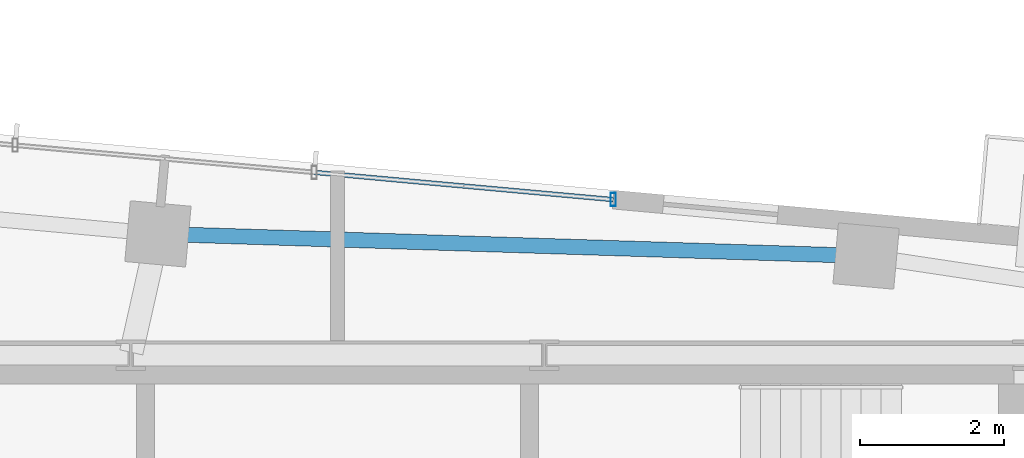
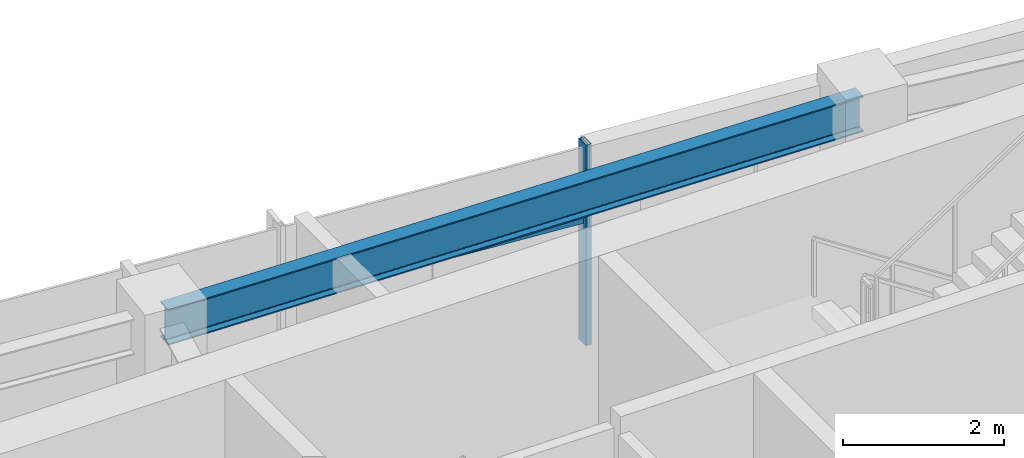
# One storey, part 11 of 22: 2 members, 1 beam, 1 element without a shape of its own.
"""IFC4 building model written with IfcOpenShell, lengths in metres."""

import ifcopenshell
import ifcopenshell.guid

model = None  # the IFC model being written
_history = None  # IfcOwnerHistory: only IFC2X3 demands one
_inside = {}  # id of a spatial element -> (the spatial element, [elements in it])
_under = {}  # id of a project, library or spatial element -> (it, [spatial elements below it])
_declared = {}  # id of a project -> (the project, [libraries it declares])
_typed = {}  # id of a type object -> (the type object, [elements of that type])
_made_of = {}  # id of a material, layer set ... -> (it, [elements and type objects made of it])


def new_model(schema):
    """Start an empty IFC model of exactly this schema.

    Asked for "IFC4X3", IfcOpenShell would pick the latest addendum, in which some entities
    have other attributes; the version numbers below select the first issue.
    IFC2X3 requires an IfcOwnerHistory on every rooted entity: one is made here for all.
    """
    global model, _history
    if schema == "IFC4X3":
        model = ifcopenshell.file(schema_version=(4, 3, 0, 0))
    else:
        model = ifcopenshell.file(schema=schema)
    _inside.clear()
    _under.clear()
    _declared.clear()
    _typed.clear()
    _made_of.clear()
    _history = None
    if model.schema == "IFC2X3":
        org = make("IfcOrganization", Name="unknown")
        user = make(
            "IfcPersonAndOrganization",
            ThePerson=make("IfcPerson", FamilyName="unknown"),
            TheOrganization=org,
        )
        app = make(
            "IfcApplication",
            ApplicationDeveloper=org,
            Version="unknown",
            ApplicationFullName="unknown",
            ApplicationIdentifier="unknown",
        )
        _history = make(
            "IfcOwnerHistory",
            OwningUser=user,
            OwningApplication=app,
            ChangeAction="ADDED",
            CreationDate=0,
        )
    return model


def make(cls, **values):
    """One entity of the class cls with the attributes given. An attribute that is None is left unset."""
    return model.create_entity(
        cls, **{name: value for name, value in values.items() if value is not None}
    )


def rooted(cls, **values):
    """An entity with a GlobalId (a new one), such as an element, a storey or a relation."""
    return make(cls, GlobalId=ifcopenshell.guid.new(), OwnerHistory=_history, **values)


def si_unit(unit_type, name, prefix=None):
    """IfcSIUnit, for example si_unit("LENGTHUNIT", "METRE", prefix="MILLI")."""
    return make("IfcSIUnit", UnitType=unit_type, Prefix=prefix, Name=name)


def assignment(units):
    """IfcUnitAssignment: the units of a project."""
    return None if units is None else make("IfcUnitAssignment", Units=units)


def point(xyz):
    """IfcCartesianPoint."""
    return None if xyz is None else make("IfcCartesianPoint", Coordinates=xyz)


def direction(xyz):
    """IfcDirection."""
    return None if xyz is None else make("IfcDirection", DirectionRatios=xyz)


def frame(location, z_axis=None, x_axis=None):
    """IfcAxis2Placement3D, a coordinate frame: its origin and axes. An axis left out is left unset."""
    return make(
        "IfcAxis2Placement3D",
        Location=point(location),
        Axis=direction(z_axis),
        RefDirection=direction(x_axis),
    )


def frame_2d(location, x_axis=None):
    """IfcAxis2Placement2D, a coordinate frame in the plane: its origin and x axis."""
    return make(
        "IfcAxis2Placement2D", Location=point(location), RefDirection=direction(x_axis)
    )


def origin():
    """The frame at (0, 0, 0) with its axes left unset."""
    return frame((0.0, 0.0, 0.0))


def origin_2d():
    """The frame at (0, 0) in the plane with its x axis left unset."""
    return frame_2d((0.0, 0.0))


def place(relative_to, where):
    """IfcLocalPlacement: puts the frame where relative to a parent placement (None: the world)."""
    return make(
        "IfcLocalPlacement", PlacementRelTo=relative_to, RelativePlacement=where
    )


def context(
    kind, dimensions, precision=None, world=None, true_north=None, identifier=None
):
    """IfcGeometricRepresentationContext, for example the 3D "Model" context."""
    return make(
        "IfcGeometricRepresentationContext",
        ContextIdentifier=identifier,
        ContextType=kind,
        CoordinateSpaceDimension=dimensions,
        Precision=precision,
        WorldCoordinateSystem=world,
        TrueNorth=true_north,
    )


def subcontext(parent, identifier, kind, view, scale=None):
    """IfcGeometricRepresentationSubContext, for example "Body" below "Model"."""
    return make(
        "IfcGeometricRepresentationSubContext",
        ContextIdentifier=identifier,
        ContextType=kind,
        ParentContext=parent,
        TargetScale=scale,
        TargetView=view,
    )


def project(units=None, contexts=None):
    """IfcProject with its units and contexts."""
    return rooted(
        "IfcProject",
        Name="project",
        RepresentationContexts=contexts,
        UnitsInContext=assignment(units),
    )


def spatial(cls, under=None, at=None, **own):
    """A site, building, storey or space (cls), placed at a placement, below another one or the project."""
    s = rooted(cls, ObjectPlacement=at, **own)
    if under is not None:
        _under.setdefault(under.id(), (under, []))[1].append(s)
    return s


def profile(cls, at=None, kind="AREA", **sizes):
    """A parametric profile (cls). Its sizes go by their IFC names, for example OverallWidth=200.0."""
    return make(cls, ProfileType=kind, Position=at, **sizes)


def hollow_rectangle(**sizes):
    """IfcRectangleHollowProfileDef."""
    return profile("IfcRectangleHollowProfileDef", **sizes)


def i_section(**sizes):
    """IfcIShapeProfileDef."""
    return profile("IfcIShapeProfileDef", **sizes)


def extrude(swept, where, along, depth):
    """IfcExtrudedAreaSolid: the profile swept, set in the frame where, extruded along a direction by depth."""
    return make(
        "IfcExtrudedAreaSolid",
        SweptArea=swept,
        Position=where,
        ExtrudedDirection=direction(along),
        Depth=depth,
    )


def shape(context_of_items, identifier, shape_type, items):
    """IfcShapeRepresentation: the items that make up one representation, for example the "Body"."""
    return make(
        "IfcShapeRepresentation",
        ContextOfItems=context_of_items,
        RepresentationIdentifier=identifier,
        RepresentationType=shape_type,
        Items=items,
    )


def source(mapping_origin, context_of_items, identifier, shape_type, items):
    """IfcRepresentationMap: a shape defined once, which mapped items show again and again."""
    return make(
        "IfcRepresentationMap",
        MappingOrigin=mapping_origin,
        MappedRepresentation=shape(context_of_items, identifier, shape_type, items),
    )


def transform(
    local_origin,
    x_axis=None,
    y_axis=None,
    z_axis=None,
    scale=None,
    scale2=None,
    scale3=None,
    uniform=True,
):
    """IfcCartesianTransformationOperator3D, or its non-uniform kind. x_axis, y_axis, z_axis: its Axis1, 2, 3."""
    if uniform:
        return make(
            "IfcCartesianTransformationOperator3D",
            Axis1=direction(x_axis),
            Axis2=direction(y_axis),
            LocalOrigin=point(local_origin),
            Scale=scale,
            Axis3=direction(z_axis),
        )
    return make(
        "IfcCartesianTransformationOperator3DnonUniform",
        Axis1=direction(x_axis),
        Axis2=direction(y_axis),
        LocalOrigin=point(local_origin),
        Scale=scale,
        Axis3=direction(z_axis),
        Scale2=scale2,
        Scale3=scale3,
    )


def mapped(mapping_source, mapping_target):
    """IfcMappedItem: shows the shape of a source again, moved by a transform."""
    return make(
        "IfcMappedItem", MappingSource=mapping_source, MappingTarget=mapping_target
    )


def material(Name=None, Category=None):
    """IfcMaterial."""
    return make("IfcMaterial", Name=Name, Category=Category)


def material_profile(
    of_material, cross_section, Name=None, Category=None, Priority=None
):
    """IfcMaterialProfile: a cross section and its material."""
    return make(
        "IfcMaterialProfile",
        Name=Name,
        Material=of_material,
        Profile=cross_section,
        Priority=Priority,
        Category=Category,
    )


def profile_set(profiles, Name=None, composite=None):
    """IfcMaterialProfileSet."""
    return make(
        "IfcMaterialProfileSet",
        Name=Name,
        MaterialProfiles=profiles,
        CompositeProfile=composite,
    )


def made_of(thing, what):
    """Note that an element or type object is made of a material, layer set ...; save() writes the relation."""
    if what is not None:
        _made_of.setdefault(what.id(), (what, []))[1].append(thing)
    return thing


def type_object(cls, material=None, **own):
    """A type object (cls), such as IfcWallType, which elements share."""
    return made_of(rooted(cls, **own), material)


def type_shapes(of_type, sources):
    """Give a type object the sources (RepresentationMaps) that its elements show as mapped items."""
    of_type.RepresentationMaps = sources


def element(
    cls,
    number,
    at=None,
    inside=None,
    cuts=None,
    type_object=None,
    material=None,
    context=None,
    identifier="Body",
    shape_type=None,
    held_by="IfcProductDefinitionShape",
    body=None,
    shapes=None,
    **own,
):
    """One element of the class cls, such as IfcWall. Its Tag is "e" and its number.

    at: its placement. inside: the storey or other place that contains it. cuts: it is an
    opening in that element (IfcRelVoidsElement). A single representation is given by context,
    identifier, shape_type and body (its items); several are given by shapes. held_by: the class
    of the entity that holds the representations. save() writes the other relations.
    """
    e = rooted(cls, Tag="e%d" % number, ObjectPlacement=at, **own)
    if body is not None:
        shapes = [shape(context, identifier, shape_type, body)]
    if shapes is not None:
        e.Representation = make(held_by, Representations=shapes)
    if inside is not None:
        _inside.setdefault(inside.id(), (inside, []))[1].append(e)
    if cuts is not None:
        rooted(
            "IfcRelVoidsElement", RelatingBuildingElement=cuts, RelatedOpeningElement=e
        )
    if type_object is not None:
        _typed.setdefault(type_object.id(), (type_object, []))[1].append(e)
    return made_of(e, material)


def aggregate(whole, parts):
    """IfcRelAggregates: a whole, such as a stair, and the parts it consists of."""
    return rooted("IfcRelAggregates", RelatingObject=whole, RelatedObjects=parts)


def save(model, path):
    """Write the relations noted so far, then the file.

    IfcRelAggregates (storeys below a building ...), IfcRelContainedInSpatialStructure (elements
    in a storey), IfcRelDefinesByType, IfcRelAssociatesMaterial and IfcRelDeclares: one each for
    every whole, place, type object, material and project.
    """
    for whole, parts in _under.values():
        aggregate(whole, parts)
    for where, things in _inside.values():
        rooted(
            "IfcRelContainedInSpatialStructure",
            RelatedElements=things,
            RelatingStructure=where,
        )
    for kind, things in _typed.values():
        rooted("IfcRelDefinesByType", RelatedObjects=things, RelatingType=kind)
    for what, things in _made_of.values():
        rooted("IfcRelAssociatesMaterial", RelatedObjects=things, RelatingMaterial=what)
    for by, libraries in _declared.values():
        rooted("IfcRelDeclares", RelatingContext=by, RelatedDefinitions=libraries)
    model.write(path)


model = new_model("IFC4")

# Units and contexts
model_context = context("Model", 3, precision=1e-05, world=origin(), true_north=direction((0.0, 1.0)))
body_context = subcontext(model_context, "Body", "Model", "MODEL_VIEW")
ifc_project = project(units=[si_unit("LENGTHUNIT", "METRE"), si_unit("AREAUNIT", "SQUARE_METRE"), si_unit("VOLUMEUNIT", "CUBIC_METRE"), si_unit("PLANEANGLEUNIT", "RADIAN"), si_unit("MASSUNIT", "GRAM", prefix="KILO")], contexts=[model_context])

# Site, building, storey
site_placement = place(None, origin())
site = spatial("IfcSite", under=ifc_project, at=site_placement, CompositionType="ELEMENT")
building_placement = place(site_placement, origin())
building = spatial("IfcBuilding", under=site, at=building_placement, Name="Astriad Promenade Condominiums", CompositionType="ELEMENT")
storey_placement = place(building_placement, frame((0.0, 0.0, 216.60009765625)))
storey = spatial("IfcBuildingStorey", under=building, at=storey_placement, Name="L62", CompositionType="ELEMENT", Elevation=216.60009765625)

# Beam
ifc_material_1 = material(Name="Steel ASTM A992 Grade 50", Category="steel")
ifc_material_profile_1 = material_profile(ifc_material_1, i_section(OverallWidth=0.210693359375, OverallDepth=0.53955078125, WebThickness=0.01171875, FlangeThickness=0.018798828125, FilletRadius=0.0166015625, at=origin_2d()), Name="W21X73")
ifc_profile_set_1 = profile_set([ifc_material_profile_1], Name="Steel ASTM A992 Grade 50")
beam_type = type_object("IfcBeamType", Name="STEEL SPANDREL BEAM W21X73", PredefinedType="SPANDREL", material=ifc_profile_set_1)
shared_shape_1 = source(origin(), body_context, "Body", "SweptSolid", [
    extrude(i_section(OverallWidth=0.210693359375, OverallDepth=0.53955078125, WebThickness=0.01171875, FlangeThickness=0.018798828125, FilletRadius=0.0166015625, at=origin_2d()), origin(), (0.0, 0.0, 1.0), 9.783935546875),
])
type_shapes(beam_type, [shared_shape_1])
beam_placement = place(storey_placement, frame((43.31884765625, 25.381103515625, 2.77001953125), z_axis=(-0.999511077438, 0.031266692798, 0.0), x_axis=(-0.031266692798, -0.999511077438, 0.0)))
element("IfcBeam", 1, at=beam_placement, inside=storey, type_object=beam_type, Name="Perimeter Spandrel Beam SP-N3-L62", PredefinedType="SPANDREL", context=body_context, shape_type="MappedRepresentation", body=[
    mapped(shared_shape_1, transform((0.0, 0.0, 0.0), scale=1.0)),
])

# Curtain wall, members
ifc_material_2 = material(Name="Anodised aluminium Black Dark Glass Unitised", Category="aluminium")
curtain_wall_type = type_object("IfcCurtainWallType", Name="CW-B5-DARK", PredefinedType="USERDEFINED", material=ifc_material_2)
curtain_wall_placement = place(storey_placement, origin())
curtain_wall = element("IfcCurtainWall", 2, at=curtain_wall_placement, inside=storey, type_object=curtain_wall_type, Name="CW-L62-N", ObjectType="UNITISED_CURTAIN_WALL", PredefinedType="USERDEFINED")
ifc_material_3 = material(Name="Anodised aluminium 6063-T6 Black", Category="aluminium")
ifc_material_profile_2 = material_profile(ifc_material_3, hollow_rectangle(XDim=0.074951171875, YDim=0.18505859375, WallThickness=0.00439453125, at=origin_2d()), Name="ALU-MUL-75X185")
ifc_profile_set_2 = profile_set([ifc_material_profile_2], Name="Anodised aluminium 6063-T6 Black")
member_type_1 = type_object("IfcMemberType", Name="MUL-ALU-MUL-75X185", PredefinedType="MULLION", material=ifc_profile_set_2)
shared_shape_2 = source(origin(), body_context, "Body", "SweptSolid", [
    extrude(hollow_rectangle(XDim=0.074951171875, YDim=0.18505859375, WallThickness=0.00439453125, at=origin_2d()), origin(), (0.0, 0.0, 1.0), 3.039794921875),
])
type_shapes(member_type_1, [shared_shape_2])
member_1_placement = place(storey_placement, frame((39.839111328125, 26.16552734375, 0.0), z_axis=(0.0, 0.0, 1.0), x_axis=(1.0, 0.0, 0.0)))
member_1 = element("IfcMember", 3, at=member_1_placement, type_object=member_type_1, Name="CW-L62-N-MUL-03", PredefinedType="MULLION", context=body_context, shape_type="MappedRepresentation", body=[
    mapped(shared_shape_2, transform((0.0, 0.0, 0.0), scale=1.0)),
])
ifc_material_profile_3 = material_profile(ifc_material_3, hollow_rectangle(XDim=0.06494140625, YDim=0.1298828125, WallThickness=0.00390625, at=origin_2d()), Name="ALU-TRN-65X130")
ifc_profile_set_3 = profile_set([ifc_material_profile_3], Name="Anodised aluminium 6063-T6 Black")
member_type_2 = type_object("IfcMemberType", Name="TRN-ALU-TRN-65X130", PredefinedType="USERDEFINED", material=ifc_profile_set_3)
shared_shape_3 = source(origin(), body_context, "Body", "SweptSolid", [
    extrude(hollow_rectangle(XDim=0.06494140625, YDim=0.1298828125, WallThickness=0.00390625, at=origin_2d()), origin(), (0.0, 0.0, 1.0), 4.179931640625),
])
type_shapes(member_type_2, [shared_shape_3])
member_2_placement = place(storey_placement, frame((35.67626953125, 26.54443359375, 1.884765625), z_axis=(0.995883146811, -0.090646334165, 0.0), x_axis=(0.090646334165, 0.995883146811, 0.0)))
member_2 = element("IfcMember", 4, at=member_2_placement, type_object=member_type_2, Name="CW-L62-N-TRN-02-0", ObjectType="TRANSOM", PredefinedType="USERDEFINED", context=body_context, shape_type="MappedRepresentation", body=[
    mapped(shared_shape_3, transform((0.0, 0.0, 0.0), scale=1.0)),
])
aggregate(curtain_wall, [member_1, member_2])

save(model, "model.ifc")
